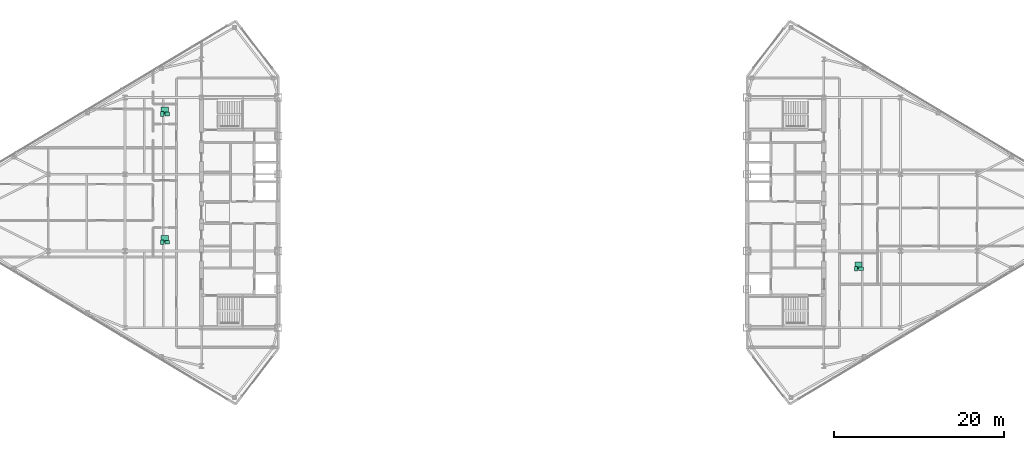
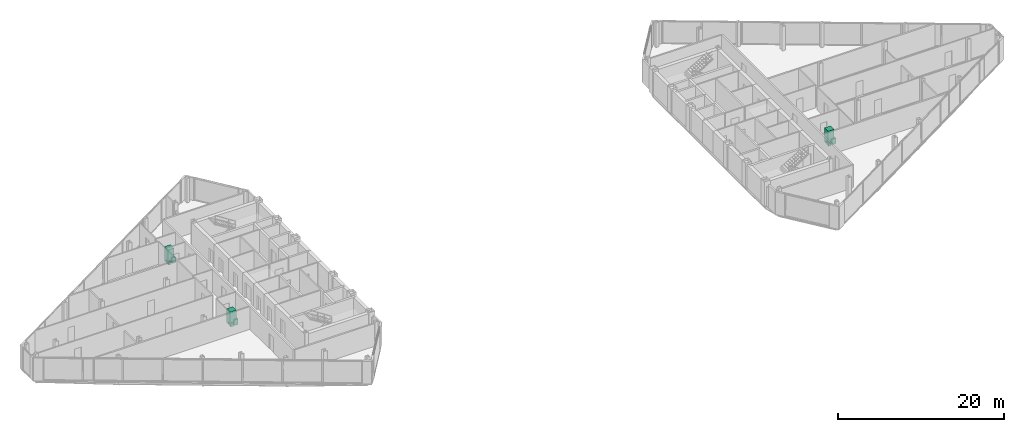
# One storey, part 26 of 26: 9 sanitary terminals.
"""IFC4 building model written with IfcOpenShell, lengths in metres."""

from ifc_helpers import new_model, si_unit, direction, frame, origin, origin_2d, place, context, subcontext, project, spatial, rectangle, extrude, source, transform, mapped, material, type_object, type_shapes, element, save


model = new_model("IFC4")

# Units and contexts
model_context = context("Model", 3, precision=1e-05, world=origin(), true_north=direction((0.0, 1.0)))
body_context = subcontext(model_context, "Body", "Model", "MODEL_VIEW")
ifc_project = project(units=[si_unit("LENGTHUNIT", "METRE"), si_unit("AREAUNIT", "SQUARE_METRE"), si_unit("VOLUMEUNIT", "CUBIC_METRE"), si_unit("PLANEANGLEUNIT", "RADIAN"), si_unit("MASSUNIT", "GRAM", prefix="KILO")], contexts=[model_context])

# Site, building, storey
site_placement = place(None, origin())
site = spatial("IfcSite", under=ifc_project, at=site_placement, CompositionType="ELEMENT")
building_placement = place(site_placement, origin())
building = spatial("IfcBuilding", under=site, at=building_placement, Name="Seokmaru Belvedere", CompositionType="ELEMENT")
storey_placement = place(building_placement, frame((0.0, 0.0, 221.10009765625)))
storey = spatial("IfcBuildingStorey", under=building, at=storey_placement, Name="L59", CompositionType="ELEMENT", Elevation=221.10009765625)

# Sanitary terminals
ifc_material_1 = material(Name="Vitreous China Sanitaryware")
sanitary_terminal_type_1 = type_object("IfcSanitaryTerminalType", Name="Wall-Hung Vitreous China WC Pan", PredefinedType="TOILETPAN", material=ifc_material_1)
shared_shape_1 = source(origin(), body_context, "Body", "SweptSolid", [
    extrude(rectangle(XDim=0.3798828125, YDim=0.56005859375, at=origin_2d()), origin(), (0.0, 0.0, 1.0), 0.419921875),
])
type_shapes(sanitary_terminal_type_1, [shared_shape_1])
for number, where, z_axis, x_axis, name in (
    (1, (-41.125, -3.472900390625, 0.0), (0.0, 0.0, 1.0), (1.0, 0.0, 0.0), "L59 Vitreous China WC 0271"),
    (2, (-41.125, 11.570068359375, 0.0), (0.0, 0.0, 1.0), (1.0, 0.0, 0.0), "L59 Vitreous China WC 0272"),
    (3, (40.27490234375, -6.592041015625, 0.0), (0.0, 0.0, 1.0), (1.0, 0.0, 0.0), "L59 Vitreous China WC 0273"),
):
    element("IfcSanitaryTerminal", number, at=place(storey_placement, frame(where, z_axis=z_axis, x_axis=x_axis)), inside=storey, type_object=sanitary_terminal_type_1, Name=name, PredefinedType="TOILETPAN", context=body_context, shape_type="MappedRepresentation", body=[
        mapped(shared_shape_1, transform((0.0, 0.0, 0.0), scale=1.0)),
    ])
sanitary_terminal_type_2 = type_object("IfcSanitaryTerminalType", Name="Countertop Ceramic Washhand Basin", PredefinedType="WASHHANDBASIN", material=ifc_material_1)
shared_shape_2 = source(origin(), body_context, "Body", "SweptSolid", [
    extrude(rectangle(XDim=0.550048828125, YDim=0.449951171875, at=origin_2d()), origin(), (0.0, 0.0, 1.0), 0.820068359375),
])
type_shapes(sanitary_terminal_type_2, [shared_shape_2])
for number, where, z_axis, x_axis, name in (
    (4, (-40.52490234375, -3.472900390625, 0.0), (0.0, 0.0, 1.0), (1.0, 0.0, 0.0), "L59 Ceramic Washhand Basin 0271"),
    (5, (-40.52490234375, 11.570068359375, 0.0), (0.0, 0.0, 1.0), (1.0, 0.0, 0.0), "L59 Ceramic Washhand Basin 0272"),
    (6, (40.875, -6.592041015625, 0.0), (0.0, 0.0, 1.0), (1.0, 0.0, 0.0), "L59 Ceramic Washhand Basin 0273"),
):
    element("IfcSanitaryTerminal", number, at=place(storey_placement, frame(where, z_axis=z_axis, x_axis=x_axis)), inside=storey, type_object=sanitary_terminal_type_2, Name=name, PredefinedType="WASHHANDBASIN", context=body_context, shape_type="MappedRepresentation", body=[
        mapped(shared_shape_2, transform((0.0, 0.0, 0.0), scale=1.0)),
    ])
ifc_material_2 = material(Name="Stainless Steel 316", Category="steel")
sanitary_terminal_type_3 = type_object("IfcSanitaryTerminalType", Name="Walk-In Thermostatic Rain Shower Enclosure", PredefinedType="SHOWER", material=ifc_material_2)
shared_shape_3 = source(origin(), body_context, "Body", "SweptSolid", [
    extrude(rectangle(XDim=0.85009765625, YDim=0.85009765625, at=origin_2d()), origin(), (0.0, 0.0, 1.0), 2.050048828125),
])
type_shapes(sanitary_terminal_type_3, [shared_shape_3])
for number, where, z_axis, x_axis, name in (
    (7, (-40.824951171875, -3.093017578125, 0.0), (0.0, 0.0, 1.0), (1.0, 0.0, 0.0), "L59 Walk-In Shower 0271"),
    (8, (-40.824951171875, 11.949951171875, 0.0), (0.0, 0.0, 1.0), (1.0, 0.0, 0.0), "L59 Walk-In Shower 0272"),
    (9, (40.574951171875, -6.2119140625, 0.0), (0.0, 0.0, 1.0), (1.0, 0.0, 0.0), "L59 Walk-In Shower 0273"),
):
    element("IfcSanitaryTerminal", number, at=place(storey_placement, frame(where, z_axis=z_axis, x_axis=x_axis)), inside=storey, type_object=sanitary_terminal_type_3, Name=name, PredefinedType="SHOWER", context=body_context, shape_type="MappedRepresentation", body=[
        mapped(shared_shape_3, transform((0.0, 0.0, 0.0), scale=1.0)),
    ])

save(model, "model.ifc")
